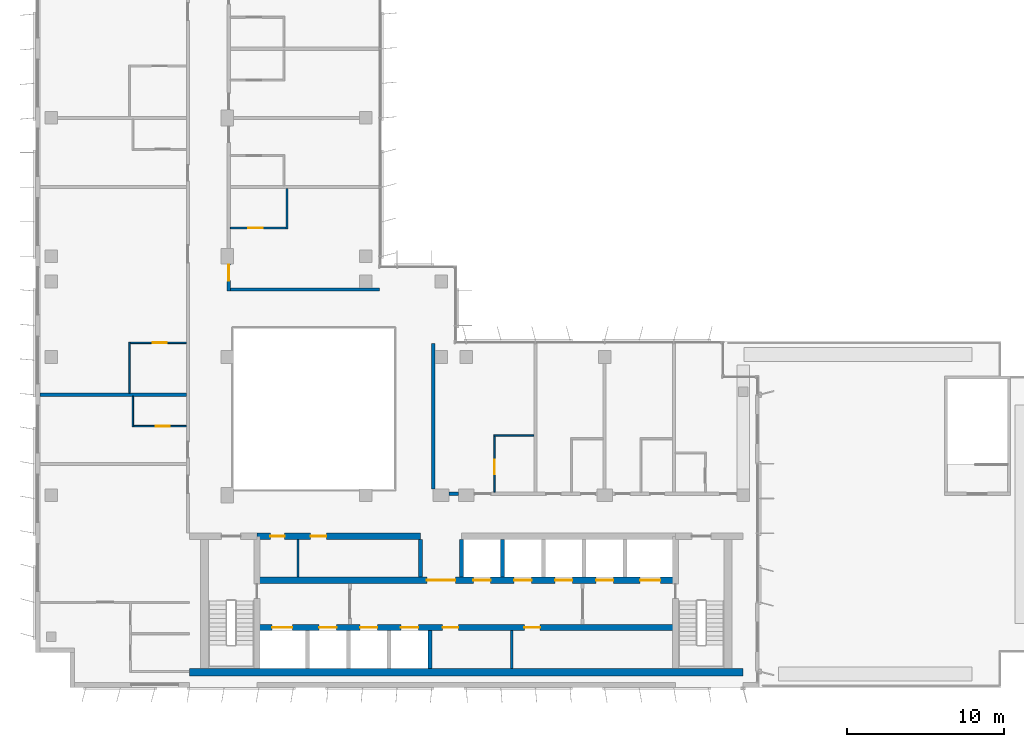
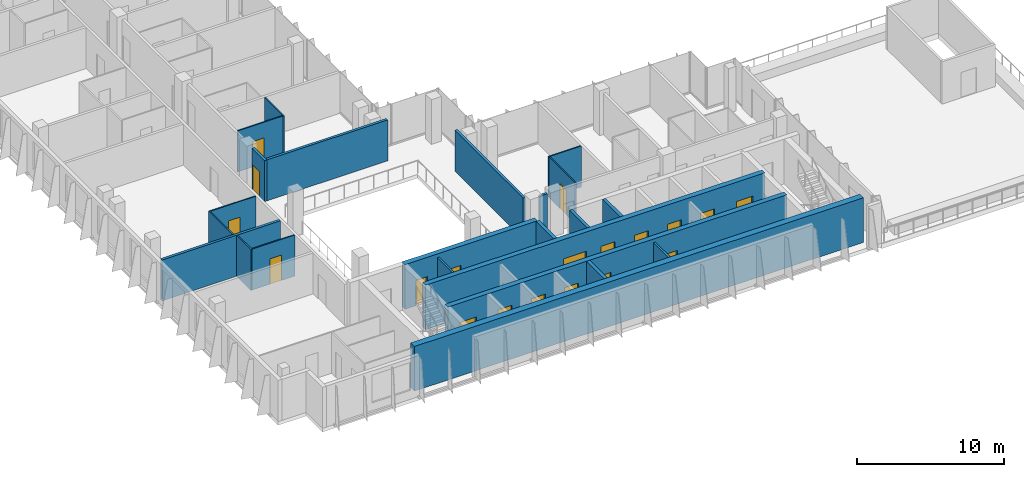
# One storey, part 10 of 17: 23 walls, 19 doors, 19 openings.
"""IFC4 building model written with IfcOpenShell, lengths in metres."""

import ifcopenshell
import ifcopenshell.guid

model = None  # the IFC model being written
_history = None  # IfcOwnerHistory: only IFC2X3 demands one
_inside = {}  # id of a spatial element -> (the spatial element, [elements in it])
_under = {}  # id of a project, library or spatial element -> (it, [spatial elements below it])
_declared = {}  # id of a project -> (the project, [libraries it declares])
_typed = {}  # id of a type object -> (the type object, [elements of that type])
_made_of = {}  # id of a material, layer set ... -> (it, [elements and type objects made of it])


def new_model(schema):
    """Start an empty IFC model of exactly this schema.

    Asked for "IFC4X3", IfcOpenShell would pick the latest addendum, in which some entities
    have other attributes; the version numbers below select the first issue.
    IFC2X3 requires an IfcOwnerHistory on every rooted entity: one is made here for all.
    """
    global model, _history
    if schema == "IFC4X3":
        model = ifcopenshell.file(schema_version=(4, 3, 0, 0))
    else:
        model = ifcopenshell.file(schema=schema)
    _inside.clear()
    _under.clear()
    _declared.clear()
    _typed.clear()
    _made_of.clear()
    _history = None
    if model.schema == "IFC2X3":
        org = make("IfcOrganization", Name="unknown")
        user = make(
            "IfcPersonAndOrganization",
            ThePerson=make("IfcPerson", FamilyName="unknown"),
            TheOrganization=org,
        )
        app = make(
            "IfcApplication",
            ApplicationDeveloper=org,
            Version="unknown",
            ApplicationFullName="unknown",
            ApplicationIdentifier="unknown",
        )
        _history = make(
            "IfcOwnerHistory",
            OwningUser=user,
            OwningApplication=app,
            ChangeAction="ADDED",
            CreationDate=0,
        )
    return model


def make(cls, **values):
    """One entity of the class cls with the attributes given. An attribute that is None is left unset."""
    return model.create_entity(
        cls, **{name: value for name, value in values.items() if value is not None}
    )


def rooted(cls, **values):
    """An entity with a GlobalId (a new one), such as an element, a storey or a relation."""
    return make(cls, GlobalId=ifcopenshell.guid.new(), OwnerHistory=_history, **values)


def si_unit(unit_type, name, prefix=None):
    """IfcSIUnit, for example si_unit("LENGTHUNIT", "METRE", prefix="MILLI")."""
    return make("IfcSIUnit", UnitType=unit_type, Prefix=prefix, Name=name)


def assignment(units):
    """IfcUnitAssignment: the units of a project."""
    return None if units is None else make("IfcUnitAssignment", Units=units)


def point(xyz):
    """IfcCartesianPoint."""
    return None if xyz is None else make("IfcCartesianPoint", Coordinates=xyz)


def direction(xyz):
    """IfcDirection."""
    return None if xyz is None else make("IfcDirection", DirectionRatios=xyz)


def frame(location, z_axis=None, x_axis=None):
    """IfcAxis2Placement3D, a coordinate frame: its origin and axes. An axis left out is left unset."""
    return make(
        "IfcAxis2Placement3D",
        Location=point(location),
        Axis=direction(z_axis),
        RefDirection=direction(x_axis),
    )


def frame_2d(location, x_axis=None):
    """IfcAxis2Placement2D, a coordinate frame in the plane: its origin and x axis."""
    return make(
        "IfcAxis2Placement2D", Location=point(location), RefDirection=direction(x_axis)
    )


def origin():
    """The frame at (0, 0, 0) with its axes left unset."""
    return frame((0.0, 0.0, 0.0))


def place(relative_to, where):
    """IfcLocalPlacement: puts the frame where relative to a parent placement (None: the world)."""
    return make(
        "IfcLocalPlacement", PlacementRelTo=relative_to, RelativePlacement=where
    )


def context(
    kind, dimensions, precision=None, world=None, true_north=None, identifier=None
):
    """IfcGeometricRepresentationContext, for example the 3D "Model" context."""
    return make(
        "IfcGeometricRepresentationContext",
        ContextIdentifier=identifier,
        ContextType=kind,
        CoordinateSpaceDimension=dimensions,
        Precision=precision,
        WorldCoordinateSystem=world,
        TrueNorth=true_north,
    )


def subcontext(parent, identifier, kind, view, scale=None):
    """IfcGeometricRepresentationSubContext, for example "Body" below "Model"."""
    return make(
        "IfcGeometricRepresentationSubContext",
        ContextIdentifier=identifier,
        ContextType=kind,
        ParentContext=parent,
        TargetScale=scale,
        TargetView=view,
    )


def project(units=None, contexts=None):
    """IfcProject with its units and contexts."""
    return rooted(
        "IfcProject",
        Name="project",
        RepresentationContexts=contexts,
        UnitsInContext=assignment(units),
    )


def spatial(cls, under=None, at=None, **own):
    """A site, building, storey or space (cls), placed at a placement, below another one or the project."""
    s = rooted(cls, ObjectPlacement=at, **own)
    if under is not None:
        _under.setdefault(under.id(), (under, []))[1].append(s)
    return s


def profile(cls, at=None, kind="AREA", **sizes):
    """A parametric profile (cls). Its sizes go by their IFC names, for example OverallWidth=200.0."""
    return make(cls, ProfileType=kind, Position=at, **sizes)


def rectangle(**sizes):
    """IfcRectangleProfileDef."""
    return profile("IfcRectangleProfileDef", **sizes)


def extrude(swept, where, along, depth):
    """IfcExtrudedAreaSolid: the profile swept, set in the frame where, extruded along a direction by depth."""
    return make(
        "IfcExtrudedAreaSolid",
        SweptArea=swept,
        Position=where,
        ExtrudedDirection=direction(along),
        Depth=depth,
    )


def shape(context_of_items, identifier, shape_type, items):
    """IfcShapeRepresentation: the items that make up one representation, for example the "Body"."""
    return make(
        "IfcShapeRepresentation",
        ContextOfItems=context_of_items,
        RepresentationIdentifier=identifier,
        RepresentationType=shape_type,
        Items=items,
    )


def material(Name=None, Category=None):
    """IfcMaterial."""
    return make("IfcMaterial", Name=Name, Category=Category)


def layer(
    of_material, thickness, ventilated=None, Name=None, Category=None, Priority=None
):
    """IfcMaterialLayer: one layer of a wall or slab, of a material (None: an air gap)."""
    return make(
        "IfcMaterialLayer",
        Material=of_material,
        LayerThickness=thickness,
        IsVentilated=ventilated,
        Name=Name,
        Category=Category,
        Priority=Priority,
    )


def layer_set(layers, Name=None):
    """IfcMaterialLayerSet."""
    return make("IfcMaterialLayerSet", MaterialLayers=layers, LayerSetName=Name)


def made_of(thing, what):
    """Note that an element or type object is made of a material, layer set ...; save() writes the relation."""
    if what is not None:
        _made_of.setdefault(what.id(), (what, []))[1].append(thing)
    return thing


def type_object(cls, material=None, **own):
    """A type object (cls), such as IfcWallType, which elements share."""
    return made_of(rooted(cls, **own), material)


def element(
    cls,
    number,
    at=None,
    inside=None,
    cuts=None,
    type_object=None,
    material=None,
    context=None,
    identifier="Body",
    shape_type=None,
    held_by="IfcProductDefinitionShape",
    body=None,
    shapes=None,
    **own,
):
    """One element of the class cls, such as IfcWall. Its Tag is "e" and its number.

    at: its placement. inside: the storey or other place that contains it. cuts: it is an
    opening in that element (IfcRelVoidsElement). A single representation is given by context,
    identifier, shape_type and body (its items); several are given by shapes. held_by: the class
    of the entity that holds the representations. save() writes the other relations.
    """
    e = rooted(cls, Tag="e%d" % number, ObjectPlacement=at, **own)
    if body is not None:
        shapes = [shape(context, identifier, shape_type, body)]
    if shapes is not None:
        e.Representation = make(held_by, Representations=shapes)
    if inside is not None:
        _inside.setdefault(inside.id(), (inside, []))[1].append(e)
    if cuts is not None:
        rooted(
            "IfcRelVoidsElement", RelatingBuildingElement=cuts, RelatedOpeningElement=e
        )
    if type_object is not None:
        _typed.setdefault(type_object.id(), (type_object, []))[1].append(e)
    return made_of(e, material)


def fill(opening, filler):
    """IfcRelFillsElement: the door or window that sits in an opening."""
    return rooted(
        "IfcRelFillsElement",
        RelatingOpeningElement=opening,
        RelatedBuildingElement=filler,
    )


def aggregate(whole, parts):
    """IfcRelAggregates: a whole, such as a stair, and the parts it consists of."""
    return rooted("IfcRelAggregates", RelatingObject=whole, RelatedObjects=parts)


def save(model, path):
    """Write the relations noted so far, then the file.

    IfcRelAggregates (storeys below a building ...), IfcRelContainedInSpatialStructure (elements
    in a storey), IfcRelDefinesByType, IfcRelAssociatesMaterial and IfcRelDeclares: one each for
    every whole, place, type object, material and project.
    """
    for whole, parts in _under.values():
        aggregate(whole, parts)
    for where, things in _inside.values():
        rooted(
            "IfcRelContainedInSpatialStructure",
            RelatedElements=things,
            RelatingStructure=where,
        )
    for kind, things in _typed.values():
        rooted("IfcRelDefinesByType", RelatedObjects=things, RelatingType=kind)
    for what, things in _made_of.values():
        rooted("IfcRelAssociatesMaterial", RelatedObjects=things, RelatingMaterial=what)
    for by, libraries in _declared.values():
        rooted("IfcRelDeclares", RelatingContext=by, RelatedDefinitions=libraries)
    model.write(path)


model = new_model("IFC4")

# Units and contexts
model_context = context("Model", 3, precision=1e-05, world=origin(), true_north=direction((0.0, 1.0)))
body_context = subcontext(model_context, "Body", "Model", "MODEL_VIEW")
ifc_project = project(units=[si_unit("LENGTHUNIT", "METRE"), si_unit("AREAUNIT", "SQUARE_METRE"), si_unit("VOLUMEUNIT", "CUBIC_METRE"), si_unit("PLANEANGLEUNIT", "RADIAN"), si_unit("MASSUNIT", "GRAM", prefix="KILO")], contexts=[model_context])

# Site, building, storey
site_placement = place(None, origin())
site = spatial("IfcSite", under=ifc_project, at=site_placement, CompositionType="ELEMENT")
building_placement = place(site_placement, origin())
building = spatial("IfcBuilding", under=site, at=building_placement, Name="Kemantara Hotel Tower", CompositionType="ELEMENT")
storey_placement = place(building_placement, frame((0.0, 0.0, 222.800048828125)))
storey = spatial("IfcBuildingStorey", under=building, at=storey_placement, Name="L55", CompositionType="ELEMENT", Elevation=222.800048828125)

# Walls
ifc_material_1 = material(Name="Concrete fc 60 MPa", Category="concrete")
ifc_layer_1 = layer(ifc_material_1, 0.25)
ifc_layer_set_1 = layer_set([ifc_layer_1], Name="Concrete fc 60 MPa")
wall_type_1 = type_object("IfcWallType", Name="CORE WALL 250 FC60", PredefinedType="SHEAR", material=ifc_layer_set_1)
wall_1_placement = place(storey_placement, frame((25.10009765625, 1.199951171875, 0.0), z_axis=(0.0, 0.0, 1.0), x_axis=(0.0, 1.0, 0.0)))
element("IfcWall", 1, at=wall_1_placement, inside=storey, type_object=wall_type_1, Name="CORE WALL CW-DS25.1", PredefinedType="SHEAR", context=body_context, shape_type="SweptSolid", body=[
    extrude(rectangle(XDim=2.400146484375, YDim=0.25, at=frame_2d((1.2001953125, 0.0))), origin(), (0.0, 0.0, 1.0), 3.699951171875),
])
for number, where, z_axis, x_axis, name in (
    (2, (24.5, 7.0, 0.0), (0.0, 0.0, 1.0), (0.0, 1.0, 0.0), "CORE WALL CW-DN24.5"),
    (3, (27.10009765625, 7.0, 0.0), (0.0, 0.0, 1.0), (0.0, 1.0, 0.0), "CORE WALL CW-DN27.1"),
    (4, (29.699951171875, 7.0, 0.0), (0.0, 0.0, 1.0), (0.0, 1.0, 0.0), "CORE WALL CW-DN29.7"),
):
    element("IfcWall", number, at=place(storey_placement, frame(where, z_axis=z_axis, x_axis=x_axis)), inside=storey, type_object=wall_type_1, Name=name, PredefinedType="SHEAR", context=body_context, shape_type="SweptSolid", body=[
        extrude(rectangle(XDim=2.39990234375, YDim=0.25, at=frame_2d((1.199951171875, 0.0))), origin(), (0.0, 0.0, 1.0), 3.699951171875),
    ])

# Wall, openings, doors
ifc_layer_2 = layer(ifc_material_1, 0.39990234375)
ifc_layer_set_2 = layer_set([ifc_layer_2], Name="Concrete fc 60 MPa")
wall_type_2 = type_object("IfcWallType", Name="CORE WALL 400 FC60", PredefinedType="SHEAR", material=ifc_layer_set_2)
wall_2_placement = place(storey_placement, frame((14.10009765625, 9.60009765625, 0.0), z_axis=(0.0, 0.0, 1.0), x_axis=(1.0, 0.0, 0.0)))
wall_2 = element("IfcWall", 5, at=wall_2_placement, inside=storey, type_object=wall_type_2, Name="CORE WALL CW-NN1", PredefinedType="SHEAR", context=body_context, shape_type="SweptSolid", body=[
    extrude(rectangle(XDim=10.39990234375, YDim=0.39990234375, at=frame_2d((5.199951171875, 0.0))), origin(), (0.0, 0.0, 1.0), 3.699951171875),
])
opening_1_placement = place(wall_2_placement, frame((0.85009765625, 0.0, 0.0)))
opening_1 = element("IfcOpeningElement", 6, at=opening_1_placement, cuts=wall_2, Name="Opening C34-R-NW1", PredefinedType="OPENING", context=body_context, shape_type="SweptSolid", body=[
    extrude(rectangle(XDim=0.89990234375, YDim=2.10009765625, at=frame_2d((0.449951171875, 1.050048828125))), frame((0.0, 0.2099609375, 0.0), z_axis=(0.0, -1.0, 0.0), x_axis=(1.0, 0.0, 0.0)), (0.0, 0.0, 1.0), 0.419921875),
])
opening_2_placement = place(wall_2_placement, frame((3.39990234375, 0.0, 0.0)))
opening_2 = element("IfcOpeningElement", 7, at=opening_2_placement, cuts=wall_2, Name="Opening C34-R-NW2", PredefinedType="OPENING", context=body_context, shape_type="SweptSolid", body=[
    extrude(rectangle(XDim=1.0, YDim=2.10009765625, at=frame_2d((0.5, 1.050048828125))), frame((0.0, 0.2099609375, 0.0), z_axis=(0.0, -1.0, 0.0), x_axis=(1.0, 0.0, 0.0)), (0.0, 0.0, 1.0), 0.419921875),
])
ifc_material_2 = material(Name="Steel fire door", Category="steel")
door_type_1 = type_object("IfcDoorType", Name="Fire door FD30S 1000 x 2100", OperationType="NOTDEFINED", PredefinedType="DOOR", material=ifc_material_2)
door_1_placement = place(opening_2_placement, frame((1.0, 0.0, 0.0), z_axis=(0.0, 0.0, 1.0), x_axis=(-1.0, 0.0, 0.0)))
door_1 = element("IfcDoor", 8, at=door_1_placement, inside=storey, type_object=door_type_1, Name="Linen Store door", OperationType="SINGLE_SWING_RIGHT", OverallHeight=2.10009765625, OverallWidth=1.0, PredefinedType="DOOR", context=body_context, shape_type="SweptSolid", body=[
    extrude(rectangle(XDim=1.0, YDim=2.10009765625, at=frame_2d((0.5, 1.050048828125))), frame((0.0, 0.02490234375, 0.0), z_axis=(0.0, -1.0, 0.0), x_axis=(1.0, 0.0, 0.0)), (0.0, 0.0, 1.0), 0.050048828125),
])
fill(opening_2, door_1)
door_type_2 = type_object("IfcDoorType", Name="Fire door FD30S 900 x 2100", OperationType="NOTDEFINED", PredefinedType="DOOR", material=ifc_material_2)
door_2_placement = place(opening_1_placement, frame((0.89990234375, 0.0, 0.0), z_axis=(0.0, 0.0, 1.0), x_axis=(-1.0, 0.0, 0.0)))
door_2 = element("IfcDoor", 9, at=door_2_placement, inside=storey, type_object=door_type_2, Name="Staff Wc door", OperationType="SINGLE_SWING_RIGHT", OverallHeight=2.10009765625, OverallWidth=0.89990234375, PredefinedType="DOOR", context=body_context, shape_type="SweptSolid", body=[
    extrude(rectangle(XDim=0.89990234375, YDim=2.10009765625, at=frame_2d((0.449951171875, 1.050048828125))), frame((0.0, 0.02490234375, 0.0), z_axis=(0.0, -1.0, 0.0), x_axis=(1.0, 0.0, 0.0)), (0.0, 0.0, 1.0), 0.050048828125),
])
fill(opening_1, door_2)

wall_3_placement = place(storey_placement, frame((14.10009765625, 3.800048828125, 0.0), z_axis=(0.0, 0.0, 1.0), x_axis=(1.0, 0.0, 0.0)))
wall_3 = element("IfcWall", 10, at=wall_3_placement, inside=storey, type_object=wall_type_2, Name="CORE WALL CW-L1", PredefinedType="SHEAR", context=body_context, shape_type="SweptSolid", body=[
    extrude(rectangle(XDim=26.599853515625, YDim=0.39990234375, at=frame_2d((13.2998046875, 0.0))), origin(), (0.0, 0.0, 1.0), 3.699951171875),
])
opening_3_placement = place(wall_3_placement, frame((0.949951171875, 0.0, 0.0)))
opening_3 = element("IfcOpeningElement", 11, at=opening_3_placement, cuts=wall_3, Name="Opening C34-LD-FF1", PredefinedType="OPENING", context=body_context, shape_type="SweptSolid", body=[
    extrude(rectangle(XDim=1.300048828125, YDim=2.10009765625, at=frame_2d((0.64990234375, 1.050048828125))), frame((0.0, 0.2099609375, 0.0), z_axis=(0.0, -1.0, 0.0), x_axis=(1.0, 0.0, 0.0)), (0.0, 0.0, 1.0), 0.419921875),
])
opening_4_placement = place(wall_3_placement, frame((3.949951171875, 0.0, 0.0)))
opening_4 = element("IfcOpeningElement", 12, at=opening_4_placement, cuts=wall_3, Name="Opening C34-LD-SV1", PredefinedType="OPENING", context=body_context, shape_type="SweptSolid", body=[
    extrude(rectangle(XDim=1.10009765625, YDim=2.10009765625, at=frame_2d((0.550048828125, 1.050048828125))), frame((0.0, 0.2099609375, 0.0), z_axis=(0.0, -1.0, 0.0), x_axis=(1.0, 0.0, 0.0)), (0.0, 0.0, 1.0), 0.419921875),
])
opening_5_placement = place(wall_3_placement, frame((6.550048828125, 0.0, 0.0)))
opening_5 = element("IfcOpeningElement", 13, at=opening_5_placement, cuts=wall_3, Name="Opening C34-LD-SV2", PredefinedType="OPENING", context=body_context, shape_type="SweptSolid", body=[
    extrude(rectangle(XDim=1.10009765625, YDim=2.10009765625, at=frame_2d((0.550048828125, 1.050048828125))), frame((0.0, 0.2099609375, 0.0), z_axis=(0.0, -1.0, 0.0), x_axis=(1.0, 0.0, 0.0)), (0.0, 0.0, 1.0), 0.419921875),
])
opening_6_placement = place(wall_3_placement, frame((9.14990234375, 0.0, 0.0)))
opening_6 = element("IfcOpeningElement", 14, at=opening_6_placement, cuts=wall_3, Name="Opening C34-LD-SV3", PredefinedType="OPENING", context=body_context, shape_type="SweptSolid", body=[
    extrude(rectangle(XDim=1.10009765625, YDim=2.10009765625, at=frame_2d((0.550048828125, 1.050048828125))), frame((0.0, 0.2099609375, 0.0), z_axis=(0.0, -1.0, 0.0), x_axis=(1.0, 0.0, 0.0)), (0.0, 0.0, 1.0), 0.419921875),
])
opening_7_placement = place(wall_3_placement, frame((11.800048828125, 0.0, 0.0)))
opening_7 = element("IfcOpeningElement", 15, at=opening_7_placement, cuts=wall_3, Name="Opening C34-R-SM1", PredefinedType="OPENING", context=body_context, shape_type="SweptSolid", body=[
    extrude(rectangle(XDim=1.0, YDim=2.10009765625, at=frame_2d((0.5, 1.050048828125))), frame((0.0, 0.2099609375, 0.0), z_axis=(0.0, -1.0, 0.0), x_axis=(1.0, 0.0, 0.0)), (0.0, 0.0, 1.0), 0.419921875),
])
opening_8_placement = place(wall_3_placement, frame((17.0, 0.0, 0.0)))
opening_8 = element("IfcOpeningElement", 16, at=opening_8_placement, cuts=wall_3, Name="Opening C34-R-SM2", PredefinedType="OPENING", context=body_context, shape_type="SweptSolid", body=[
    extrude(rectangle(XDim=1.0, YDim=2.10009765625, at=frame_2d((0.5, 1.050048828125))), frame((0.0, 0.2099609375, 0.0), z_axis=(0.0, -1.0, 0.0), x_axis=(1.0, 0.0, 0.0)), (0.0, 0.0, 1.0), 0.419921875),
])
door_3_placement = place(opening_7_placement, frame((1.0, 0.0, 0.0), z_axis=(0.0, 0.0, 1.0), x_axis=(-1.0, 0.0, 0.0)))
door_3 = element("IfcDoor", 17, at=door_3_placement, inside=storey, type_object=door_type_1, Name="Luggage Store door", OperationType="SINGLE_SWING_RIGHT", OverallHeight=2.10009765625, OverallWidth=1.0, PredefinedType="DOOR", context=body_context, shape_type="SweptSolid", body=[
    extrude(rectangle(XDim=1.0, YDim=2.10009765625, at=frame_2d((0.5, 1.050048828125))), frame((0.0, 0.02490234375, 0.0), z_axis=(0.0, -1.0, 0.0), x_axis=(1.0, 0.0, 0.0)), (0.0, 0.0, 1.0), 0.050048828125),
])
fill(opening_7, door_3)
door_4_placement = place(opening_8_placement, frame((1.0, 0.0, 0.0), z_axis=(0.0, 0.0, 1.0), x_axis=(-1.0, 0.0, 0.0)))
door_4 = element("IfcDoor", 18, at=door_4_placement, inside=storey, type_object=door_type_1, Name="Guest Pantry door", OperationType="SINGLE_SWING_LEFT", OverallHeight=2.10009765625, OverallWidth=1.0, PredefinedType="DOOR", context=body_context, shape_type="SweptSolid", body=[
    extrude(rectangle(XDim=1.0, YDim=2.10009765625, at=frame_2d((0.5, 1.050048828125))), frame((0.0, 0.02490234375, 0.0), z_axis=(0.0, -1.0, 0.0), x_axis=(1.0, 0.0, 0.0)), (0.0, 0.0, 1.0), 0.050048828125),
])
fill(opening_8, door_4)
ifc_material_3 = material(Name="Stainless steel lift door", Category="steel")
door_type_3 = type_object("IfcDoorType", Name="Lift landing door 1100 x 2100 FD60", OperationType="DOUBLE_DOOR_SLIDING", PredefinedType="DOOR", material=ifc_material_3)
door_5_placement = place(opening_4_placement, origin())
door_5 = element("IfcDoor", 19, at=door_5_placement, inside=storey, type_object=door_type_3, Name="Lift SV1 landing door", OperationType="DOUBLE_DOOR_SLIDING", OverallHeight=2.10009765625, OverallWidth=1.10009765625, PredefinedType="DOOR", context=body_context, shape_type="SweptSolid", body=[
    extrude(rectangle(XDim=1.10009765625, YDim=2.10009765625, at=frame_2d((0.550048828125, 1.050048828125))), frame((0.0, 0.02490234375, 0.0), z_axis=(0.0, -1.0, 0.0), x_axis=(1.0, 0.0, 0.0)), (0.0, 0.0, 1.0), 0.050048828125),
])
fill(opening_4, door_5)
door_6_placement = place(opening_5_placement, origin())
door_6 = element("IfcDoor", 20, at=door_6_placement, inside=storey, type_object=door_type_3, Name="Lift SV2 landing door", OperationType="DOUBLE_DOOR_SLIDING", OverallHeight=2.10009765625, OverallWidth=1.10009765625, PredefinedType="DOOR", context=body_context, shape_type="SweptSolid", body=[
    extrude(rectangle(XDim=1.10009765625, YDim=2.10009765625, at=frame_2d((0.550048828125, 1.050048828125))), frame((0.0, 0.02490234375, 0.0), z_axis=(0.0, -1.0, 0.0), x_axis=(1.0, 0.0, 0.0)), (0.0, 0.0, 1.0), 0.050048828125),
])
fill(opening_5, door_6)
door_7_placement = place(opening_6_placement, origin())
door_7 = element("IfcDoor", 21, at=door_7_placement, inside=storey, type_object=door_type_3, Name="Lift SV3 landing door", OperationType="DOUBLE_DOOR_SLIDING", OverallHeight=2.10009765625, OverallWidth=1.10009765625, PredefinedType="DOOR", context=body_context, shape_type="SweptSolid", body=[
    extrude(rectangle(XDim=1.10009765625, YDim=2.10009765625, at=frame_2d((0.550048828125, 1.050048828125))), frame((0.0, 0.02490234375, 0.0), z_axis=(0.0, -1.0, 0.0), x_axis=(1.0, 0.0, 0.0)), (0.0, 0.0, 1.0), 0.050048828125),
])
fill(opening_6, door_7)
door_type_4 = type_object("IfcDoorType", Name="Lift landing door 1300 x 2100 FD90", OperationType="DOUBLE_DOOR_SLIDING", PredefinedType="DOOR", material=ifc_material_3)
door_8_placement = place(opening_3_placement, origin())
door_8 = element("IfcDoor", 22, at=door_8_placement, inside=storey, type_object=door_type_4, Name="Lift FF1 landing door", OperationType="DOUBLE_DOOR_SLIDING", OverallHeight=2.10009765625, OverallWidth=1.300048828125, PredefinedType="DOOR", context=body_context, shape_type="SweptSolid", body=[
    extrude(rectangle(XDim=1.300048828125, YDim=2.10009765625, at=frame_2d((0.64990234375, 1.050048828125))), frame((0.0, 0.02490234375, 0.0), z_axis=(0.0, -1.0, 0.0), x_axis=(1.0, 0.0, 0.0)), (0.0, 0.0, 1.0), 0.050048828125),
])
fill(opening_3, door_8)

wall_4_placement = place(storey_placement, frame((14.10009765625, 6.800048828125, 0.0), z_axis=(0.0, 0.0, 1.0), x_axis=(1.0, 0.0, 0.0)))
wall_4 = element("IfcWall", 23, at=wall_4_placement, inside=storey, type_object=wall_type_2, Name="CORE WALL CW-L2", PredefinedType="SHEAR", context=body_context, shape_type="SweptSolid", body=[
    extrude(rectangle(XDim=26.599853515625, YDim=0.39990234375, at=frame_2d((13.2998046875, 0.0))), origin(), (0.0, 0.0, 1.0), 3.699951171875),
])
opening_9_placement = place(wall_4_placement, frame((10.800048828125, 0.0, 0.0)))
opening_9 = element("IfcOpeningElement", 24, at=opening_9_placement, cuts=wall_4, Name="Opening C34-VL", PredefinedType="OPENING", context=body_context, shape_type="SweptSolid", body=[
    extrude(rectangle(XDim=1.800048828125, YDim=2.10009765625, at=frame_2d((0.89990234375, 1.050048828125))), frame((0.0, 0.2099609375, 0.0), z_axis=(0.0, -1.0, 0.0), x_axis=(1.0, 0.0, 0.0)), (0.0, 0.0, 1.0), 0.419921875),
])
opening_10_placement = place(wall_4_placement, frame((13.75, 0.0, 0.0)))
opening_10 = element("IfcOpeningElement", 25, at=opening_10_placement, cuts=wall_4, Name="Opening C34-LD-HR1", PredefinedType="OPENING", context=body_context, shape_type="SweptSolid", body=[
    extrude(rectangle(XDim=1.10009765625, YDim=2.10009765625, at=frame_2d((0.550048828125, 1.050048828125))), frame((0.0, 0.2099609375, 0.0), z_axis=(0.0, -1.0, 0.0), x_axis=(1.0, 0.0, 0.0)), (0.0, 0.0, 1.0), 0.419921875),
])
opening_11_placement = place(wall_4_placement, frame((16.35009765625, 0.0, 0.0)))
opening_11 = element("IfcOpeningElement", 26, at=opening_11_placement, cuts=wall_4, Name="Opening C34-LD-HR2", PredefinedType="OPENING", context=body_context, shape_type="SweptSolid", body=[
    extrude(rectangle(XDim=1.10009765625, YDim=2.10009765625, at=frame_2d((0.550048828125, 1.050048828125))), frame((0.0, 0.2099609375, 0.0), z_axis=(0.0, -1.0, 0.0), x_axis=(1.0, 0.0, 0.0)), (0.0, 0.0, 1.0), 0.419921875),
])
opening_12_placement = place(wall_4_placement, frame((18.949951171875, 0.0, 0.0)))
opening_12 = element("IfcOpeningElement", 27, at=opening_12_placement, cuts=wall_4, Name="Opening C34-LD-HR3", PredefinedType="OPENING", context=body_context, shape_type="SweptSolid", body=[
    extrude(rectangle(XDim=1.10009765625, YDim=2.10009765625, at=frame_2d((0.550048828125, 1.050048828125))), frame((0.0, 0.2099609375, 0.0), z_axis=(0.0, -1.0, 0.0), x_axis=(1.0, 0.0, 0.0)), (0.0, 0.0, 1.0), 0.419921875),
])
opening_13_placement = place(wall_4_placement, frame((21.550048828125, 0.0, 0.0)))
opening_13 = element("IfcOpeningElement", 28, at=opening_13_placement, cuts=wall_4, Name="Opening C34-LD-HR4", PredefinedType="OPENING", context=body_context, shape_type="SweptSolid", body=[
    extrude(rectangle(XDim=1.10009765625, YDim=2.10009765625, at=frame_2d((0.550048828125, 1.050048828125))), frame((0.0, 0.2099609375, 0.0), z_axis=(0.0, -1.0, 0.0), x_axis=(1.0, 0.0, 0.0)), (0.0, 0.0, 1.0), 0.419921875),
])
opening_14_placement = place(wall_4_placement, frame((24.35009765625, 0.0, 0.0)))
opening_14 = element("IfcOpeningElement", 29, at=opening_14_placement, cuts=wall_4, Name="Opening C34-LD-FF2", PredefinedType="OPENING", context=body_context, shape_type="SweptSolid", body=[
    extrude(rectangle(XDim=1.300048828125, YDim=2.10009765625, at=frame_2d((0.64990234375, 1.050048828125))), frame((0.0, 0.2099609375, 0.0), z_axis=(0.0, -1.0, 0.0), x_axis=(1.0, 0.0, 0.0)), (0.0, 0.0, 1.0), 0.419921875),
])
door_type_5 = type_object("IfcDoorType", Name="Fire door pair FD60 1800 x 2100", OperationType="DOUBLE_DOOR_SINGLE_SWING", PredefinedType="DOOR", material=ifc_material_2)
door_9_placement = place(opening_9_placement, frame((1.800048828125, 0.0, 0.0), z_axis=(0.0, 0.0, 1.0), x_axis=(-1.0, 0.0, 0.0)))
door_9 = element("IfcDoor", 30, at=door_9_placement, inside=storey, type_object=door_type_5, Name="Lift lobby entry door", OperationType="DOUBLE_DOOR_SINGLE_SWING", OverallHeight=2.10009765625, OverallWidth=1.800048828125, PredefinedType="DOOR", context=body_context, shape_type="SweptSolid", body=[
    extrude(rectangle(XDim=1.800048828125, YDim=2.10009765625, at=frame_2d((0.89990234375, 1.050048828125))), frame((0.0, 0.02490234375, 0.0), z_axis=(0.0, -1.0, 0.0), x_axis=(1.0, 0.0, 0.0)), (0.0, 0.0, 1.0), 0.050048828125),
])
fill(opening_9, door_9)
door_10_placement = place(opening_10_placement, origin())
door_10 = element("IfcDoor", 31, at=door_10_placement, inside=storey, type_object=door_type_3, Name="Lift HR1 landing door", OperationType="DOUBLE_DOOR_SLIDING", OverallHeight=2.10009765625, OverallWidth=1.10009765625, PredefinedType="DOOR", context=body_context, shape_type="SweptSolid", body=[
    extrude(rectangle(XDim=1.10009765625, YDim=2.10009765625, at=frame_2d((0.550048828125, 1.050048828125))), frame((0.0, 0.02490234375, 0.0), z_axis=(0.0, -1.0, 0.0), x_axis=(1.0, 0.0, 0.0)), (0.0, 0.0, 1.0), 0.050048828125),
])
fill(opening_10, door_10)
door_11_placement = place(opening_11_placement, origin())
door_11 = element("IfcDoor", 32, at=door_11_placement, inside=storey, type_object=door_type_3, Name="Lift HR2 landing door", OperationType="DOUBLE_DOOR_SLIDING", OverallHeight=2.10009765625, OverallWidth=1.10009765625, PredefinedType="DOOR", context=body_context, shape_type="SweptSolid", body=[
    extrude(rectangle(XDim=1.10009765625, YDim=2.10009765625, at=frame_2d((0.550048828125, 1.050048828125))), frame((0.0, 0.02490234375, 0.0), z_axis=(0.0, -1.0, 0.0), x_axis=(1.0, 0.0, 0.0)), (0.0, 0.0, 1.0), 0.050048828125),
])
fill(opening_11, door_11)
door_12_placement = place(opening_12_placement, origin())
door_12 = element("IfcDoor", 33, at=door_12_placement, inside=storey, type_object=door_type_3, Name="Lift HR3 landing door", OperationType="DOUBLE_DOOR_SLIDING", OverallHeight=2.10009765625, OverallWidth=1.10009765625, PredefinedType="DOOR", context=body_context, shape_type="SweptSolid", body=[
    extrude(rectangle(XDim=1.10009765625, YDim=2.10009765625, at=frame_2d((0.550048828125, 1.050048828125))), frame((0.0, 0.02490234375, 0.0), z_axis=(0.0, -1.0, 0.0), x_axis=(1.0, 0.0, 0.0)), (0.0, 0.0, 1.0), 0.050048828125),
])
fill(opening_12, door_12)
door_13_placement = place(opening_13_placement, origin())
door_13 = element("IfcDoor", 34, at=door_13_placement, inside=storey, type_object=door_type_3, Name="Lift HR4 landing door", OperationType="DOUBLE_DOOR_SLIDING", OverallHeight=2.10009765625, OverallWidth=1.10009765625, PredefinedType="DOOR", context=body_context, shape_type="SweptSolid", body=[
    extrude(rectangle(XDim=1.10009765625, YDim=2.10009765625, at=frame_2d((0.550048828125, 1.050048828125))), frame((0.0, 0.02490234375, 0.0), z_axis=(0.0, -1.0, 0.0), x_axis=(1.0, 0.0, 0.0)), (0.0, 0.0, 1.0), 0.050048828125),
])
fill(opening_13, door_13)
door_14_placement = place(opening_14_placement, origin())
door_14 = element("IfcDoor", 35, at=door_14_placement, inside=storey, type_object=door_type_4, Name="Lift FF2 landing door", OperationType="DOUBLE_DOOR_SLIDING", OverallHeight=2.10009765625, OverallWidth=1.300048828125, PredefinedType="DOOR", context=body_context, shape_type="SweptSolid", body=[
    extrude(rectangle(XDim=1.300048828125, YDim=2.10009765625, at=frame_2d((0.64990234375, 1.050048828125))), frame((0.0, 0.02490234375, 0.0), z_axis=(0.0, -1.0, 0.0), x_axis=(1.0, 0.0, 0.0)), (0.0, 0.0, 1.0), 0.050048828125),
])
fill(opening_14, door_14)

# Walls
ifc_layer_3 = layer(ifc_material_1, 0.5)
ifc_layer_set_3 = layer_set([ifc_layer_3], Name="Concrete fc 60 MPa")
wall_type_3 = type_object("IfcWallType", Name="CORE WALL 500 FC60", PredefinedType="SHEAR", material=ifc_layer_set_3)
wall_5_placement = place(storey_placement, frame((9.800048828125, 0.949951171875, 0.0), z_axis=(0.0, 0.0, 1.0), x_axis=(1.0, 0.0, 0.0)))
element("IfcWall", 36, at=wall_5_placement, inside=storey, type_object=wall_type_3, Name="CORE WALL CW-S", PredefinedType="SHEAR", context=body_context, shape_type="SweptSolid", body=[
    extrude(rectangle(XDim=35.199951171875, YDim=0.5, at=frame_2d((17.60009765625, 0.0))), origin(), (0.0, 0.0, 1.0), 3.699951171875),
])
ifc_material_4 = material(Name="Gypsum board partition, steel studs and mineral wool, 200 mm", Category="steel")
ifc_layer_4 = layer(ifc_material_4, 0.199951171875)
ifc_layer_set_4 = layer_set([ifc_layer_4], Name="Gypsum board partition, steel studs and mineral wool, 200 mm")
wall_type_4 = type_object("IfcWallType", Name="CORRIDOR WALL 200", PredefinedType="PARTITIONING", material=ifc_layer_set_4)
wall_6_placement = place(storey_placement, frame((26.300048828125, 12.300048828125, 0.0), z_axis=(0.0, 0.0, 1.0), x_axis=(1.0, 0.0, 0.0)))
element("IfcWall", 37, at=wall_6_placement, inside=storey, type_object=wall_type_4, Name="CORRIDOR WALL 200 001", PredefinedType="PARTITIONING", context=body_context, shape_type="SweptSolid", body=[
    extrude(rectangle(XDim=0.599853515625, YDim=0.199951171875, at=frame_2d((0.2998046875, 0.0))), origin(), (0.0, 0.0, 1.0), 3.39990234375),
])

# Wall, opening, door
wall_7_placement = place(storey_placement, frame((12.300048828125, 26.89990234375, 0.0), z_axis=(0.0, 0.0, 1.0), x_axis=(0.0, -1.0, 0.0)))
wall_7 = element("IfcWall", 38, at=wall_7_placement, inside=storey, type_object=wall_type_4, Name="CORRIDOR WALL 200 020", PredefinedType="PARTITIONING", context=body_context, shape_type="SweptSolid", body=[
    extrude(rectangle(XDim=1.699951171875, YDim=0.199951171875, at=frame_2d((0.85009765625, 0.0))), origin(), (0.0, 0.0, 1.0), 3.39990234375),
])
opening_15_placement = place(wall_7_placement, frame((0.0498046875, 0.0, 0.0)))
opening_15 = element("IfcOpeningElement", 39, at=opening_15_placement, cuts=wall_7, Name="Opening F27-025", PredefinedType="OPENING", context=body_context, shape_type="SweptSolid", body=[
    extrude(rectangle(XDim=1.0, YDim=2.10009765625, at=frame_2d((0.5, 1.050048828125))), frame((0.0, 0.10986328125, 0.0), z_axis=(0.0, -1.0, 0.0), x_axis=(1.0, 0.0, 0.0)), (0.0, 0.0, 1.0), 0.219970703125),
])
ifc_material_5 = material(Name="Hardwood veneer door leaf with steel frame", Category="steel")
door_type_6 = type_object("IfcDoorType", Name="GUEST ROOM DOOR 1000 X 2100 FD30S", OperationType="NOTDEFINED", PredefinedType="DOOR", material=ifc_material_5)
door_15_placement = place(opening_15_placement, origin())
door_15 = element("IfcDoor", 40, at=door_15_placement, inside=storey, type_object=door_type_6, Name="GUEST ROOM DOOR F27-025", OperationType="SINGLE_SWING_RIGHT", OverallHeight=2.10009765625, OverallWidth=1.0, PredefinedType="DOOR", context=body_context, shape_type="SweptSolid", body=[
    extrude(rectangle(XDim=1.0, YDim=2.10009765625, at=frame_2d((0.5, 1.050048828125))), frame((0.0, 0.02490234375, 0.0), z_axis=(0.0, -1.0, 0.0), x_axis=(1.0, 0.0, 0.0)), (0.0, 0.0, 1.0), 0.050048828125),
])
fill(opening_15, door_15)

# Walls
ifc_layer_5 = layer(ifc_material_4, 0.199951171875)
ifc_layer_set_5 = layer_set([ifc_layer_5], Name="Gypsum board partition, steel studs and mineral wool, 200 mm")
wall_type_5 = type_object("IfcWallType", Name="GUEST ROOM PARTY WALL 200", PredefinedType="PARTITIONING", material=ifc_layer_set_5)
wall_8_placement = place(storey_placement, frame((25.300048828125, 12.60009765625, 0.0), z_axis=(0.0, 0.0, 1.0), x_axis=(0.0, 1.0, 0.0)))
element("IfcWall", 41, at=wall_8_placement, inside=storey, type_object=wall_type_5, Name="GUEST ROOM PARTY WALL 200 004", PredefinedType="PARTITIONING", context=body_context, shape_type="SweptSolid", body=[
    extrude(rectangle(XDim=9.27001953125, YDim=0.199951171875, at=frame_2d((4.635009765625, 0.0))), origin(), (0.0, 0.0, 1.0), 3.39990234375),
])
wall_9_placement = place(storey_placement, frame((0.31005859375, 18.60009765625, 0.0), z_axis=(0.0, 0.0, 1.0), x_axis=(1.0, 0.0, 0.0)))
element("IfcWall", 42, at=wall_9_placement, inside=storey, type_object=wall_type_5, Name="GUEST ROOM PARTY WALL 200 011", PredefinedType="PARTITIONING", context=body_context, shape_type="SweptSolid", body=[
    extrude(rectangle(XDim=9.2900390625, YDim=0.199951171875, at=frame_2d((4.64501953125, 0.0))), origin(), (0.0, 0.0, 1.0), 3.39990234375),
])
wall_10_placement = place(storey_placement, frame((12.39990234375, 25.300048828125, 0.0), z_axis=(0.0, 0.0, 1.0), x_axis=(1.0, 0.0, 0.0)))
element("IfcWall", 43, at=wall_10_placement, inside=storey, type_object=wall_type_5, Name="GUEST ROOM PARTY WALL 200 025", PredefinedType="PARTITIONING", context=body_context, shape_type="SweptSolid", body=[
    extrude(rectangle(XDim=9.47021484375, YDim=0.199951171875, at=frame_2d((4.735107421875, 0.0))), origin(), (0.0, 0.0, 1.0), 3.39990234375),
])
ifc_material_6 = material(Name="Gypsum board partition")
ifc_layer_6 = layer(ifc_material_6, 0.14990234375)
ifc_layer_set_6 = layer_set([ifc_layer_6], Name="Gypsum board partition")
wall_type_6 = type_object("IfcWallType", Name="Gypsum board partition 150 mm", PredefinedType="PARTITIONING", material=ifc_layer_set_6)
wall_11_placement = place(storey_placement, frame((16.699951171875, 7.0, 0.0), z_axis=(0.0, 0.0, 1.0), x_axis=(0.0, 1.0, 0.0)))
element("IfcWall", 44, at=wall_11_placement, inside=storey, type_object=wall_type_6, Name="Core room partition", PredefinedType="PARTITIONING", context=body_context, shape_type="SweptSolid", body=[
    extrude(rectangle(XDim=2.39990234375, YDim=0.14990234375, at=frame_2d((1.199951171875, 0.0))), origin(), (0.0, 0.0, 1.0), 3.39990234375),
])
wall_12_placement = place(storey_placement, frame((30.300048828125, 1.199951171875, 0.0), z_axis=(0.0, 0.0, 1.0), x_axis=(0.0, 1.0, 0.0)))
element("IfcWall", 45, at=wall_12_placement, inside=storey, type_object=wall_type_6, Name="Core room partition", PredefinedType="PARTITIONING", context=body_context, shape_type="SweptSolid", body=[
    extrude(rectangle(XDim=2.400146484375, YDim=0.14990234375, at=frame_2d((1.2001953125, 0.0))), origin(), (0.0, 0.0, 1.0), 3.39990234375),
])
ifc_material_7 = material(Name="Gypsum board partition on steel studs, 100 mm", Category="steel")
ifc_layer_7 = layer(ifc_material_7, 0.10009765625)
ifc_layer_set_7 = layer_set([ifc_layer_7], Name="Gypsum board partition on steel studs, 100 mm")
wall_type_7 = type_object("IfcWallType", Name="ROOM PARTITION 100", PredefinedType="PARTITIONING", material=ifc_layer_set_7)
wall_13_placement = place(storey_placement, frame((29.14990234375, 16.0, 0.0), z_axis=(0.0, 0.0, 1.0), x_axis=(1.0, 0.0, 0.0)))
element("IfcWall", 46, at=wall_13_placement, inside=storey, type_object=wall_type_7, Name="ROOM PARTITION 100 028", PredefinedType="PARTITIONING", context=body_context, shape_type="SweptSolid", body=[
    extrude(rectangle(XDim=2.550048828125, YDim=0.10009765625, at=frame_2d((1.27490234375, 0.0))), origin(), (0.0, 0.0, 1.0), 3.39990234375),
])

# Wall, opening, door
wall_14_placement = place(storey_placement, frame((29.199951171875, 15.949951171875, 0.0), z_axis=(0.0, 0.0, 1.0), x_axis=(0.0, -1.0, 0.0)))
wall_14 = element("IfcWall", 47, at=wall_14_placement, inside=storey, type_object=wall_type_7, Name="ROOM PARTITION 100 029", PredefinedType="PARTITIONING", context=body_context, shape_type="SweptSolid", body=[
    extrude(rectangle(XDim=3.550048828125, YDim=0.10009765625, at=frame_2d((1.77490234375, 0.0))), origin(), (0.0, 0.0, 1.0), 3.39990234375),
])
opening_16_placement = place(wall_14_placement, frame((1.5, 0.0, 0.0)))
opening_16 = element("IfcOpeningElement", 48, at=opening_16_placement, cuts=wall_14, Name="Opening F27-002", PredefinedType="OPENING", context=body_context, shape_type="SweptSolid", body=[
    extrude(rectangle(XDim=0.89990234375, YDim=2.10009765625, at=frame_2d((0.449951171875, 1.050048828125))), frame((0.0, 0.06005859375, 0.0), z_axis=(0.0, -1.0, 0.0), x_axis=(1.0, 0.0, 0.0)), (0.0, 0.0, 1.0), 0.1201171875),
])
door_type_7 = type_object("IfcDoorType", Name="BATHROOM DOOR 900 X 2100", OperationType="NOTDEFINED", PredefinedType="DOOR", material=ifc_material_5)
door_16_placement = place(opening_16_placement, origin())
door_16 = element("IfcDoor", 49, at=door_16_placement, inside=storey, type_object=door_type_7, Name="BATHROOM DOOR F27-002", OperationType="SINGLE_SWING_RIGHT", OverallHeight=2.10009765625, OverallWidth=0.89990234375, PredefinedType="DOOR", context=body_context, shape_type="SweptSolid", body=[
    extrude(rectangle(XDim=0.89990234375, YDim=2.10009765625, at=frame_2d((0.449951171875, 1.050048828125))), frame((0.0, 0.02490234375, 0.0), z_axis=(0.0, -1.0, 0.0), x_axis=(1.0, 0.0, 0.0)), (0.0, 0.0, 1.0), 0.050048828125),
])
fill(opening_16, door_16)

# Wall
wall_15_placement = place(storey_placement, frame((6.199951171875, 16.550048828125, 0.0), z_axis=(0.0, 0.0, 1.0), x_axis=(0.0, 1.0, 0.0)))
element("IfcWall", 50, at=wall_15_placement, inside=storey, type_object=wall_type_7, Name="ROOM PARTITION 100 040", PredefinedType="PARTITIONING", context=body_context, shape_type="SweptSolid", body=[
    extrude(rectangle(XDim=1.949951171875, YDim=0.10009765625, at=frame_2d((0.97509765625, 0.0))), origin(), (0.0, 0.0, 1.0), 3.39990234375),
])

# Wall, opening, door
wall_16_placement = place(storey_placement, frame((6.25, 16.60009765625, 0.0), z_axis=(0.0, 0.0, 1.0), x_axis=(1.0, 0.0, 0.0)))
wall_16 = element("IfcWall", 51, at=wall_16_placement, inside=storey, type_object=wall_type_7, Name="ROOM PARTITION 100 043", PredefinedType="PARTITIONING", context=body_context, shape_type="SweptSolid", body=[
    extrude(rectangle(XDim=3.35009765625, YDim=0.10009765625, at=frame_2d((1.675048828125, 0.0))), origin(), (0.0, 0.0, 1.0), 3.39990234375),
])
opening_17_placement = place(wall_16_placement, frame((1.39990234375, 0.0, 0.0)))
opening_17 = element("IfcOpeningElement", 52, at=opening_17_placement, cuts=wall_16, Name="Opening F27-014", PredefinedType="OPENING", context=body_context, shape_type="SweptSolid", body=[
    extrude(rectangle(XDim=0.89990234375, YDim=2.10009765625, at=frame_2d((0.449951171875, 1.050048828125))), frame((0.0, 0.06005859375, 0.0), z_axis=(0.0, -1.0, 0.0), x_axis=(1.0, 0.0, 0.0)), (0.0, 0.0, 1.0), 0.1201171875),
])
door_17_placement = place(opening_17_placement, origin())
door_17 = element("IfcDoor", 53, at=door_17_placement, inside=storey, type_object=door_type_7, Name="BATHROOM DOOR F27-014", OperationType="SINGLE_SWING_RIGHT", OverallHeight=2.10009765625, OverallWidth=0.89990234375, PredefinedType="DOOR", context=body_context, shape_type="SweptSolid", body=[
    extrude(rectangle(XDim=0.89990234375, YDim=2.10009765625, at=frame_2d((0.449951171875, 1.050048828125))), frame((0.0, 0.02490234375, 0.0), z_axis=(0.0, -1.0, 0.0), x_axis=(1.0, 0.0, 0.0)), (0.0, 0.0, 1.0), 0.050048828125),
])
fill(opening_17, door_17)

# Wall
wall_17_placement = place(storey_placement, frame((6.0, 18.699951171875, 0.0), z_axis=(0.0, 0.0, 1.0), x_axis=(0.0, 1.0, 0.0)))
element("IfcWall", 54, at=wall_17_placement, inside=storey, type_object=wall_type_7, Name="ROOM PARTITION 100 044", PredefinedType="PARTITIONING", context=body_context, shape_type="SweptSolid", body=[
    extrude(rectangle(XDim=3.25, YDim=0.10009765625, at=frame_2d((1.625, 0.0))), origin(), (0.0, 0.0, 1.0), 3.39990234375),
])

# Wall, opening, door
wall_18_placement = place(storey_placement, frame((9.60009765625, 21.89990234375, 0.0), z_axis=(0.0, 0.0, 1.0), x_axis=(-1.0, 0.0, 0.0)))
wall_18 = element("IfcWall", 55, at=wall_18_placement, inside=storey, type_object=wall_type_7, Name="ROOM PARTITION 100 047", PredefinedType="PARTITIONING", context=body_context, shape_type="SweptSolid", body=[
    extrude(rectangle(XDim=3.550048828125, YDim=0.10009765625, at=frame_2d((1.77490234375, 0.0))), origin(), (0.0, 0.0, 1.0), 3.39990234375),
])
opening_18_placement = place(wall_18_placement, frame((1.25, 0.0, 0.0)))
opening_18 = element("IfcOpeningElement", 56, at=opening_18_placement, cuts=wall_18, Name="Opening F27-016", PredefinedType="OPENING", context=body_context, shape_type="SweptSolid", body=[
    extrude(rectangle(XDim=0.89990234375, YDim=2.10009765625, at=frame_2d((0.449951171875, 1.050048828125))), frame((0.0, 0.06005859375, 0.0), z_axis=(0.0, -1.0, 0.0), x_axis=(1.0, 0.0, 0.0)), (0.0, 0.0, 1.0), 0.1201171875),
])
door_18_placement = place(opening_18_placement, origin())
door_18 = element("IfcDoor", 57, at=door_18_placement, inside=storey, type_object=door_type_7, Name="BATHROOM DOOR F27-016", OperationType="SINGLE_SWING_LEFT", OverallHeight=2.10009765625, OverallWidth=0.89990234375, PredefinedType="DOOR", context=body_context, shape_type="SweptSolid", body=[
    extrude(rectangle(XDim=0.89990234375, YDim=2.10009765625, at=frame_2d((0.449951171875, 1.050048828125))), frame((0.0, 0.02490234375, 0.0), z_axis=(0.0, -1.0, 0.0), x_axis=(1.0, 0.0, 0.0)), (0.0, 0.0, 1.0), 0.050048828125),
])
fill(opening_18, door_18)

# Wall
wall_19_placement = place(storey_placement, frame((16.0, 29.14990234375, 0.0), z_axis=(0.0, 0.0, 1.0), x_axis=(0.0, 1.0, 0.0)))
element("IfcWall", 58, at=wall_19_placement, inside=storey, type_object=wall_type_7, Name="ROOM PARTITION 100 053", PredefinedType="PARTITIONING", context=body_context, shape_type="SweptSolid", body=[
    extrude(rectangle(XDim=2.550048828125, YDim=0.10009765625, at=frame_2d((1.27490234375, 0.0))), origin(), (0.0, 0.0, 1.0), 3.39990234375),
])

# Wall, opening, door
wall_20_placement = place(storey_placement, frame((12.39990234375, 29.199951171875, 0.0), z_axis=(0.0, 0.0, 1.0), x_axis=(1.0, 0.0, 0.0)))
wall_20 = element("IfcWall", 59, at=wall_20_placement, inside=storey, type_object=wall_type_7, Name="ROOM PARTITION 100 054", PredefinedType="PARTITIONING", context=body_context, shape_type="SweptSolid", body=[
    extrude(rectangle(XDim=3.550048828125, YDim=0.10009765625, at=frame_2d((1.77490234375, 0.0))), origin(), (0.0, 0.0, 1.0), 3.39990234375),
])
opening_19_placement = place(wall_20_placement, frame((1.14990234375, 0.0, 0.0)))
opening_19 = element("IfcOpeningElement", 60, at=opening_19_placement, cuts=wall_20, Name="Opening F27-026", PredefinedType="OPENING", context=body_context, shape_type="SweptSolid", body=[
    extrude(rectangle(XDim=0.89990234375, YDim=2.10009765625, at=frame_2d((0.449951171875, 1.050048828125))), frame((0.0, 0.06005859375, 0.0), z_axis=(0.0, -1.0, 0.0), x_axis=(1.0, 0.0, 0.0)), (0.0, 0.0, 1.0), 0.1201171875),
])
door_19_placement = place(opening_19_placement, origin())
door_19 = element("IfcDoor", 61, at=door_19_placement, inside=storey, type_object=door_type_7, Name="BATHROOM DOOR F27-026", OperationType="SINGLE_SWING_LEFT", OverallHeight=2.10009765625, OverallWidth=0.89990234375, PredefinedType="DOOR", context=body_context, shape_type="SweptSolid", body=[
    extrude(rectangle(XDim=0.89990234375, YDim=2.10009765625, at=frame_2d((0.449951171875, 1.050048828125))), frame((0.0, 0.02490234375, 0.0), z_axis=(0.0, -1.0, 0.0), x_axis=(1.0, 0.0, 0.0)), (0.0, 0.0, 1.0), 0.050048828125),
])
fill(opening_19, door_19)

save(model, "model.ifc")
